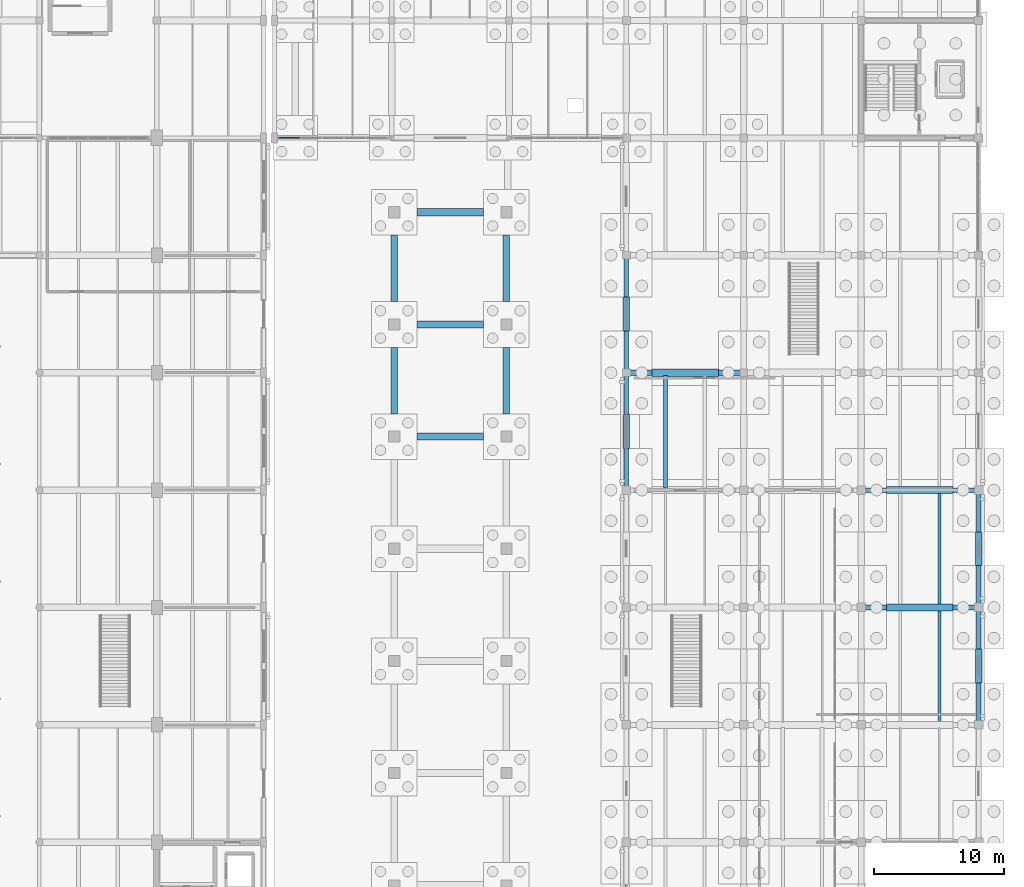
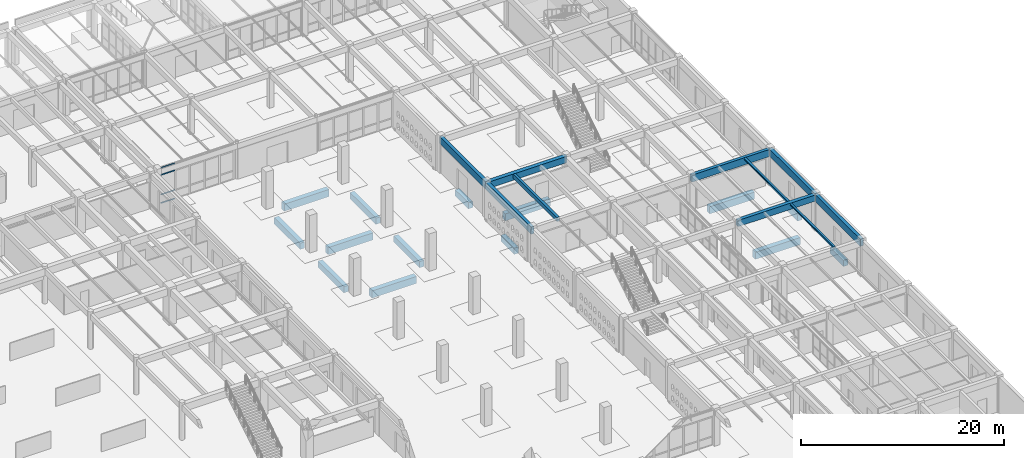
# One storey, part 122 of 186: 24 beams, 4 members, 1 element without a shape of its own.
"""IFC4 building model written with IfcOpenShell, lengths in metres."""

from ifc_helpers import new_model, si_unit, direction, frame, origin, origin_2d, place, context, subcontext, project, spatial, rectangle, hollow_rectangle, i_section, extrude, material, layer, layer_set, material_profile, profile_set, type_object, element, aggregate, save


model = new_model("IFC4")

# Units and contexts
model_context = context("Model", 3, precision=1e-05, world=origin(), true_north=direction((0.0, 1.0)))
body_context = subcontext(model_context, "Body", "Model", "MODEL_VIEW")
ifc_project = project(units=[si_unit("LENGTHUNIT", "METRE"), si_unit("AREAUNIT", "SQUARE_METRE"), si_unit("VOLUMEUNIT", "CUBIC_METRE"), si_unit("PLANEANGLEUNIT", "RADIAN"), si_unit("MASSUNIT", "GRAM", prefix="KILO")], contexts=[model_context])

# Site, building, storey
site_placement = place(None, origin())
site = spatial("IfcSite", under=ifc_project, at=site_placement, CompositionType="ELEMENT")
building_placement = place(site_placement, origin())
building = spatial("IfcBuilding", under=site, at=building_placement, Name="Ornek Quay Market", CompositionType="ELEMENT")
storey_placement = place(building_placement, origin())
storey = spatial("IfcBuildingStorey", under=building, at=storey_placement, Name="L00", CompositionType="ELEMENT", Elevation=0.0)

# Beams
ifc_material_1 = material(Name="Concrete C35/45", Category="concrete")
ifc_material_profile_1 = material_profile(ifc_material_1, rectangle(XDim=0.39990234375, YDim=0.75, at=origin_2d()), Name="RC 400x750", Category="concrete")
ifc_profile_set_1 = profile_set([ifc_material_profile_1], Name="Concrete C35/45")
beam_type_1 = type_object("IfcBeamType", Name="BM-CS-400x750", PredefinedType="BEAM", material=ifc_profile_set_1)
beam_1_placement = place(storey_placement, frame((171.0, 56.0, 3.875), z_axis=(1.0, 0.0, 0.0), x_axis=(0.0, 1.0, 0.0)))
element("IfcBeam", 1, at=beam_1_placement, inside=storey, type_object=beam_type_1, Name="Primary beam B-CS1-015", PredefinedType="BEAM", context=body_context, shape_type="SweptSolid", body=[
    extrude(rectangle(XDim=0.39990234375, YDim=0.75, at=origin_2d()), origin(), (0.0, 0.0, 1.0), 9.0),
])
ifc_material_2 = material(Name="Concrete C40/50", Category="concrete")
ifc_material_profile_2 = material_profile(ifc_material_2, rectangle(XDim=0.449951171875, YDim=0.75, at=origin_2d()), Name="RC 450x750", Category="concrete")
ifc_profile_set_2 = profile_set([ifc_material_profile_2], Name="Concrete C40/50")
beam_type_2 = type_object("IfcBeamType", Name="BM-FC-450x750", PredefinedType="BEAM", material=ifc_profile_set_2)
beam_2_placement = place(storey_placement, frame((153.0, 74.0, 3.85498046875), z_axis=(1.0, 0.0, 0.0), x_axis=(0.0, 1.0, 0.0)))
element("IfcBeam", 2, at=beam_2_placement, inside=storey, type_object=beam_type_2, Name="Primary beam B-FC1-015", PredefinedType="BEAM", context=body_context, shape_type="SweptSolid", body=[
    extrude(rectangle(XDim=0.449951171875, YDim=0.75, at=origin_2d()), origin(), (0.0, 0.0, 1.0), 9.0),
])
ifc_material_profile_3 = material_profile(ifc_material_1, rectangle(XDim=0.5, YDim=0.75, at=origin_2d()), Name="RC 500x750", Category="concrete")
ifc_profile_set_3 = profile_set([ifc_material_profile_3], Name="Concrete C35/45")
beam_type_3 = type_object("IfcBeamType", Name="BM-GB-500x750", PredefinedType="BEAM", material=ifc_profile_set_3)
beam_3_placement = place(storey_placement, frame((135.199951171875, 70.85009765625, -0.574951171875), z_axis=(0.0, 1.0, 0.0), x_axis=(-1.0, 0.0, 0.0)))
element("IfcBeam", 3, at=beam_3_placement, inside=storey, type_object=beam_type_3, Name="Ground tie beam GB-375", PredefinedType="BEAM", context=body_context, shape_type="SweptSolid", body=[
    extrude(rectangle(XDim=0.5, YDim=0.75, at=origin_2d()), origin(), (0.0, 0.0, 1.0), 5.099853515625),
])
beam_4_placement = place(storey_placement, frame((135.199951171875, 79.449951171875, -0.574951171875), z_axis=(0.0, 1.0, 0.0), x_axis=(-1.0, 0.0, 0.0)))
element("IfcBeam", 4, at=beam_4_placement, inside=storey, type_object=beam_type_3, Name="Ground tie beam GB-376", PredefinedType="BEAM", context=body_context, shape_type="SweptSolid", body=[
    extrude(rectangle(XDim=0.5, YDim=0.75, at=origin_2d()), origin(), (0.0, 0.0, 1.0), 5.10009765625),
])
beam_5_placement = place(storey_placement, frame((143.800048828125, 70.85009765625, -0.574951171875), z_axis=(0.0, 1.0, 0.0), x_axis=(-1.0, 0.0, 0.0)))
element("IfcBeam", 5, at=beam_5_placement, inside=storey, type_object=beam_type_3, Name="Ground tie beam GB-381", PredefinedType="BEAM", context=body_context, shape_type="SweptSolid", body=[
    extrude(rectangle(XDim=0.5, YDim=0.75, at=origin_2d()), origin(), (0.0, 0.0, 1.0), 5.099853515625),
])
beam_6_placement = place(storey_placement, frame((143.800048828125, 79.449951171875, -0.574951171875), z_axis=(0.0, 1.0, 0.0), x_axis=(-1.0, 0.0, 0.0)))
element("IfcBeam", 6, at=beam_6_placement, inside=storey, type_object=beam_type_3, Name="Ground tie beam GB-382", PredefinedType="BEAM", context=body_context, shape_type="SweptSolid", body=[
    extrude(rectangle(XDim=0.5, YDim=0.75, at=origin_2d()), origin(), (0.0, 0.0, 1.0), 5.10009765625),
])
for number, where, z_axis, x_axis, name in (
    (7, (153.0, 68.199951171875, -0.574951171875), (0.0, 1.0, 0.0), (-1.0, 0.0, 0.0), "Ground tie beam GB-394"),
    (8, (153.0, 77.199951171875, -0.574951171875), (0.0, 1.0, 0.0), (-1.0, 0.0, 0.0), "Ground tie beam GB-395"),
    (9, (180.0, 50.199951171875, -0.574951171875), (0.0, 1.0, 0.0), (-1.0, 0.0, 0.0), "Ground tie beam GB-421"),
    (10, (180.0, 59.199951171875, -0.574951171875), (0.0, 1.0, 0.0), (-1.0, 0.0, 0.0), "Ground tie beam GB-422"),
):
    element("IfcBeam", number, at=place(storey_placement, frame(where, z_axis=z_axis, x_axis=x_axis)), inside=storey, type_object=beam_type_3, Name=name, PredefinedType="BEAM", context=body_context, shape_type="SweptSolid", body=[
        extrude(rectangle(XDim=0.5, YDim=0.75, at=origin_2d()), origin(), (0.0, 0.0, 1.0), 2.60009765625),
    ])
ifc_material_profile_4 = material_profile(ifc_material_1, rectangle(XDim=0.550048828125, YDim=0.85009765625, at=origin_2d()), Name="RC 550x850", Category="concrete")
ifc_profile_set_4 = profile_set([ifc_material_profile_4], Name="Concrete C35/45")
beam_type_4 = type_object("IfcBeamType", Name="BM-GB-550x850", PredefinedType="BEAM", material=ifc_profile_set_4)
for number, where, z_axis, x_axis, name in (
    (11, (172.949951171875, 56.0, -0.625), (1.0, 0.0, 0.0), (0.0, 1.0, 0.0), "Ground tie beam GB-328"),
    (12, (172.949951171875, 65.0, -0.625), (1.0, 0.0, 0.0), (0.0, 1.0, 0.0), "Ground tie beam GB-332"),
    (13, (136.949951171875, 69.10009765625, -0.625), (1.0, 0.0, 0.0), (0.0, 1.0, 0.0), "Ground tie beam GB-333"),
    (14, (154.949951171875, 74.0, -0.625), (1.0, 0.0, 0.0), (0.0, 1.0, 0.0), "Ground tie beam GB-334"),
    (15, (136.949951171875, 77.699951171875, -0.625), (1.0, 0.0, 0.0), (0.0, 1.0, 0.0), "Ground tie beam GB-337"),
    (16, (136.949951171875, 86.300048828125, -0.625), (1.0, 0.0, 0.0), (0.0, 1.0, 0.0), "Ground tie beam GB-341"),
):
    element("IfcBeam", number, at=place(storey_placement, frame(where, z_axis=z_axis, x_axis=x_axis)), inside=storey, type_object=beam_type_4, Name=name, PredefinedType="BEAM", context=body_context, shape_type="SweptSolid", body=[
        extrude(rectangle(XDim=0.550048828125, YDim=0.85009765625, at=origin_2d()), origin(), (0.0, 0.0, 1.0), 5.10009765625),
    ])
ifc_material_profile_5 = material_profile(ifc_material_1, rectangle(XDim=0.280029296875, YDim=0.5, at=origin_2d()), Name="RC 280x500", Category="concrete")
ifc_profile_set_5 = profile_set([ifc_material_profile_5], Name="Concrete C35/45")
beam_type_5 = type_object("IfcBeamType", Name="BM-SEC-280x500", PredefinedType="JOIST", material=ifc_profile_set_5)
beam_7_placement = place(storey_placement, frame((156.0, 65.1669921875, 3.97998046875), z_axis=(0.0, 1.0, 0.0), x_axis=(-1.0, 0.0, 0.0)))
element("IfcBeam", 17, at=beam_7_placement, inside=storey, type_object=beam_type_5, Name="Secondary joist B-SC2-061", PredefinedType="JOIST", context=body_context, shape_type="SweptSolid", body=[
    extrude(rectangle(XDim=0.280029296875, YDim=0.5, at=origin_2d()), origin(), (0.0, 0.0, 1.0), 8.615966796875),
])
ifc_material_profile_6 = material_profile(ifc_material_2, rectangle(XDim=0.35009765625, YDim=0.85009765625, at=origin_2d()), Name="RC 350x850", Category="concrete")
ifc_profile_set_6 = profile_set([ifc_material_profile_6], Name="Concrete C40/50")
beam_type_6 = type_object("IfcBeamType", Name="BM-SPN-350x850", PredefinedType="SPANDREL", material=ifc_profile_set_6)
for number, where, z_axis, x_axis, name in (
    (18, (171.0, 65.0, 3.804931640625), (1.0, 0.0, 0.0), (0.0, 1.0, 0.0), "Primary beam B-SP1-092"),
    (19, (153.0, 65.0, 3.804931640625), (0.0, 1.0, 0.0), (-1.0, 0.0, 0.0), "Primary beam B-SP1-093"),
    (20, (153.0, 74.0, 3.804931640625), (0.0, 1.0, 0.0), (-1.0, 0.0, 0.0), "Primary beam B-SP1-094"),
    (21, (180.0, 47.0, 3.824951171875), (0.0, 1.0, 0.0), (-1.0, 0.0, 0.0), "Primary beam B-SP1-129"),
    (22, (180.0, 56.0, 3.824951171875), (0.0, 1.0, 0.0), (-1.0, 0.0, 0.0), "Primary beam B-SP1-130"),
):
    element("IfcBeam", number, at=place(storey_placement, frame(where, z_axis=z_axis, x_axis=x_axis)), inside=storey, type_object=beam_type_6, Name=name, PredefinedType="SPANDREL", context=body_context, shape_type="SweptSolid", body=[
        extrude(rectangle(XDim=0.35009765625, YDim=0.85009765625, at=origin_2d()), origin(), (0.0, 0.0, 1.0), 9.0),
    ])
ifc_material_3 = material(Name="Steel S355", Category="steel")
ifc_material_profile_7 = material_profile(ifc_material_3, i_section(OverallWidth=0.219970703125, OverallDepth=0.2099609375, WebThickness=0.007080078125, FlangeThickness=0.010986328125, FilletRadius=0.01806640625, at=origin_2d()), Name="HEA 220", Category="steel")
ifc_profile_set_7 = profile_set([ifc_material_profile_7], Name="Steel S355")
beam_type_7 = type_object("IfcBeamType", Name="BM-STL-HEA220", PredefinedType="BEAM", material=ifc_profile_set_7)
beam_8_placement = place(storey_placement, frame((177.0, 47.19189453125, 4.14501953125), z_axis=(0.0, 1.0, 0.0), x_axis=(-1.0, 0.0, 0.0)))
element("IfcBeam", 23, at=beam_8_placement, inside=storey, type_object=beam_type_7, Name="Secondary joist SB-13-022", PredefinedType="BEAM", context=body_context, shape_type="SweptSolid", body=[
    extrude(i_section(OverallWidth=0.219970703125, OverallDepth=0.2099609375, WebThickness=0.007080078125, FlangeThickness=0.010986328125, FilletRadius=0.01806640625, at=origin_2d()), origin(), (0.0, 0.0, 1.0), 8.6162109375),
])
ifc_material_profile_8 = material_profile(ifc_material_3, i_section(OverallWidth=0.239990234375, OverallDepth=0.22998046875, WebThickness=0.007568359375, FlangeThickness=0.011962890625, FilletRadius=0.02099609375, at=origin_2d()), Name="HEA 240", Category="steel")
ifc_profile_set_8 = profile_set([ifc_material_profile_8], Name="Steel S355")
beam_type_8 = type_object("IfcBeamType", Name="BM-STL-HEA240", PredefinedType="BEAM", material=ifc_profile_set_8)
beam_9_placement = place(storey_placement, frame((177.0, 56.19189453125, 4.135009765625), z_axis=(0.0, 1.0, 0.0), x_axis=(-1.0, 0.0, 0.0)))
element("IfcBeam", 24, at=beam_9_placement, inside=storey, type_object=beam_type_8, Name="Secondary joist SB-14-022", PredefinedType="BEAM", context=body_context, shape_type="SweptSolid", body=[
    extrude(i_section(OverallWidth=0.239990234375, OverallDepth=0.22998046875, WebThickness=0.007568359375, FlangeThickness=0.011962890625, FilletRadius=0.02099609375, at=origin_2d()), origin(), (0.0, 0.0, 1.0), 8.64111328125),
])

# Curtain wall, members
ifc_material_4 = material(Name="Anodised bronze aluminium and triple low-e glass", Category="aluminium")
ifc_layer = layer(ifc_material_4, 0.199951171875, Name="Anodised bronze aluminium and triple low-e glass", Category="aluminium")
ifc_layer_set = layer_set([ifc_layer], Name="Anodised bronze aluminium and triple low-e glass")
curtain_wall_type = type_object("IfcCurtainWallType", Name="CW-CONC-MOD1800", PredefinedType="USERDEFINED", material=ifc_layer_set)
curtain_wall_placement = place(storey_placement, origin())
curtain_wall = element("IfcCurtainWall", 25, at=curtain_wall_placement, inside=storey, type_object=curtain_wall_type, Name="Curtain wall CW-026", ObjectType="CURTAIN WALL", PredefinedType="USERDEFINED")
ifc_material_5 = material(Name="Anodised aluminium 6063-T6", Category="aluminium")
ifc_material_profile_9 = material_profile(ifc_material_5, hollow_rectangle(XDim=0.06494140625, YDim=0.139892578125, WallThickness=0.00439453125, at=origin_2d()), Name="CW-TRN-65x140", Category="aluminium")
ifc_profile_set_9 = profile_set([ifc_material_profile_9], Name="Anodised aluminium 6063-T6")
member_type = type_object("IfcMemberType", Name="CW-TRN-65x140", PredefinedType="USERDEFINED", material=ifc_profile_set_9)
member_1_placement = place(storey_placement, frame((126.364990234375, 92.0, 0.032470703125), z_axis=(1.0, 0.0, 0.0), x_axis=(0.0, 1.0, 0.0)))
member_1 = element("IfcMember", 26, at=member_1_placement, type_object=member_type, Name="CW-026 transom 1.1", ObjectType="TRANSOM", PredefinedType="USERDEFINED", context=body_context, shape_type="SweptSolid", body=[
    extrude(hollow_rectangle(XDim=0.06494140625, YDim=0.139892578125, WallThickness=0.00439453125, at=origin_2d()), origin(), (0.0, 0.0, 1.0), 1.58251953125),
])
member_2_placement = place(storey_placement, frame((126.364990234375, 92.0, 1.050048828125), z_axis=(1.0, 0.0, 0.0), x_axis=(0.0, 1.0, 0.0)))
member_2 = element("IfcMember", 27, at=member_2_placement, type_object=member_type, Name="CW-026 transom 1.2", ObjectType="TRANSOM", PredefinedType="USERDEFINED", context=body_context, shape_type="SweptSolid", body=[
    extrude(hollow_rectangle(XDim=0.06494140625, YDim=0.139892578125, WallThickness=0.00439453125, at=origin_2d()), origin(), (0.0, 0.0, 1.0), 1.58251953125),
])
member_3_placement = place(storey_placement, frame((126.364990234375, 92.0, 3.419921875), z_axis=(1.0, 0.0, 0.0), x_axis=(0.0, 1.0, 0.0)))
member_3 = element("IfcMember", 28, at=member_3_placement, type_object=member_type, Name="CW-026 transom 1.3", ObjectType="TRANSOM", PredefinedType="USERDEFINED", context=body_context, shape_type="SweptSolid", body=[
    extrude(hollow_rectangle(XDim=0.06494140625, YDim=0.139892578125, WallThickness=0.00439453125, at=origin_2d()), origin(), (0.0, 0.0, 1.0), 1.58251953125),
])
member_4_placement = place(storey_placement, frame((126.364990234375, 92.0, 4.237548828125), z_axis=(1.0, 0.0, 0.0), x_axis=(0.0, 1.0, 0.0)))
member_4 = element("IfcMember", 29, at=member_4_placement, type_object=member_type, Name="CW-026 transom 1.4", ObjectType="TRANSOM", PredefinedType="USERDEFINED", context=body_context, shape_type="SweptSolid", body=[
    extrude(hollow_rectangle(XDim=0.06494140625, YDim=0.139892578125, WallThickness=0.00439453125, at=origin_2d()), origin(), (0.0, 0.0, 1.0), 1.58251953125),
])
aggregate(curtain_wall, [member_1, member_2, member_3, member_4])

save(model, "model.ifc")
